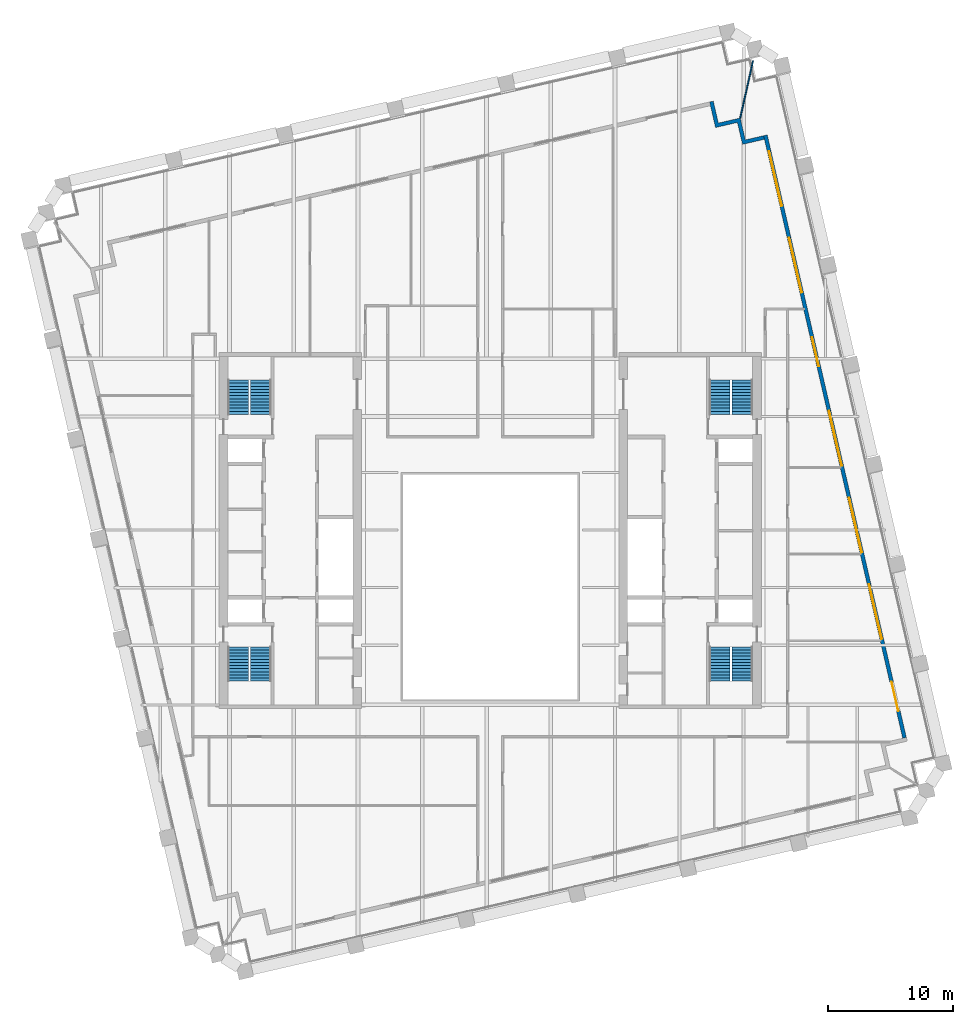
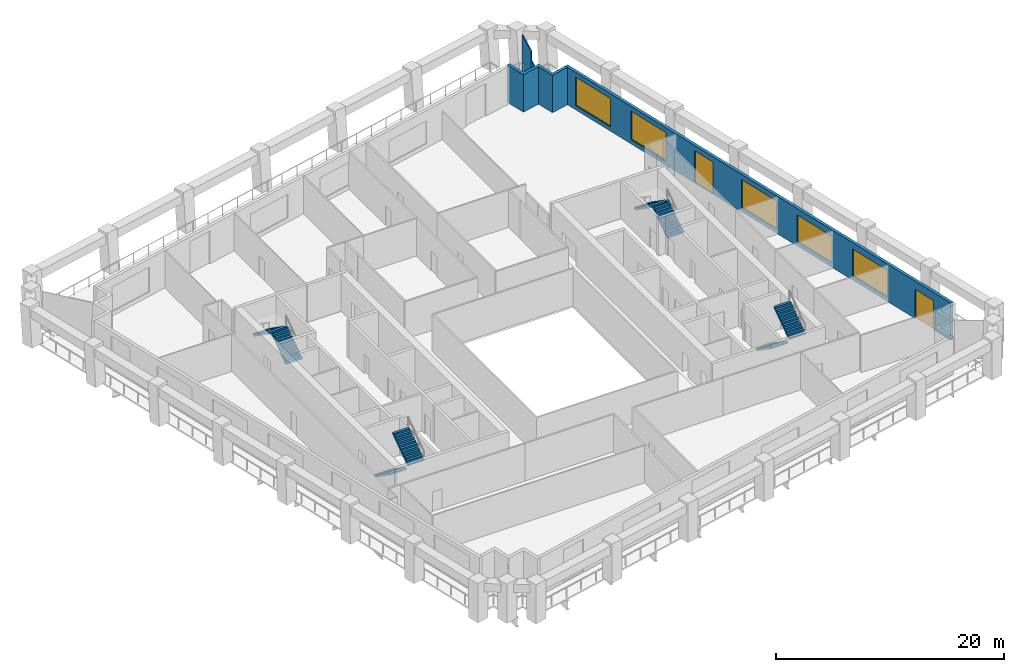
# One storey, part 8 of 10: 8 stair flights, 5 windows, 4 walls, 2 doors, 7 openings, 4 elements without a shape of their own.
"""IFC4 building model written with IfcOpenShell, lengths in metres."""

from ifc_helpers import new_model, si_unit, direction, frame, frame_2d, origin, place, context, subcontext, project, spatial, polyline, rectangle, outline, extrude, material, layer, layer_set, type_object, element, fill, aggregate, save


model = new_model("IFC4")

# Units and contexts
model_context = context("Model", 3, precision=1e-05, world=origin(), true_north=direction((0.0, 1.0)))
body_context = subcontext(model_context, "Body", "Model", "MODEL_VIEW")
ifc_project = project(units=[si_unit("LENGTHUNIT", "METRE"), si_unit("AREAUNIT", "SQUARE_METRE"), si_unit("VOLUMEUNIT", "CUBIC_METRE"), si_unit("PLANEANGLEUNIT", "RADIAN"), si_unit("MASSUNIT", "GRAM", prefix="KILO")], contexts=[model_context])

# Site, building, storey
site_placement = place(None, origin())
site = spatial("IfcSite", under=ifc_project, at=site_placement, CompositionType="ELEMENT")
building_placement = place(site_placement, origin())
building = spatial("IfcBuilding", under=site, at=building_placement, Name="Ogive Exchange Tower", CompositionType="ELEMENT")
storey_placement = place(building_placement, frame((0.0, 0.0, 196.800048828125)))
storey = spatial("IfcBuildingStorey", under=building, at=storey_placement, Name="L43", CompositionType="ELEMENT", Elevation=196.800048828125)

# Wall, openings, doors, windows
ifc_material_1 = material(Name="Precast concrete C40/50", Category="concrete")
ifc_layer_1 = layer(ifc_material_1, 0.300048828125)
ifc_layer_set_1 = layer_set([ifc_layer_1], Name="Limestone-faced wall 300")
wall_type_1 = type_object("IfcWallType", Name="Limestone-faced wall 300", PredefinedType="STANDARD", material=ifc_layer_set_1)
wall_1_placement = place(storey_placement, frame((33.1572265625, -5.092041015625, 0.0), z_axis=(0.0, 0.0, 1.0), x_axis=(-0.224950279389, 0.974370243697, 0.0)))
wall_1 = element("IfcWall", 1, at=wall_1_placement, inside=storey, type_object=wall_type_1, Name="External wall E2", PredefinedType="STANDARD", context=body_context, shape_type="SweptSolid", body=[
    extrude(rectangle(XDim=49.499755859375, YDim=0.300048828125, at=frame_2d((24.75, 0.0))), origin(), (0.0, 0.0, 1.0), 4.0),
])
opening_1_placement = place(wall_1_placement, frame((2.20703125, 0.0, 0.0)))
opening_1 = element("IfcOpeningElement", 2, at=opening_1_placement, cuts=wall_1, Name="Opening D1J", PredefinedType="OPENING", context=body_context, shape_type="SweptSolid", body=[
    extrude(rectangle(XDim=2.39990234375, YDim=3.125, at=frame_2d((1.199951171875, 1.5625))), frame((0.0, 0.159912109375, 0.0), z_axis=(0.0, -1.0, 0.0), x_axis=(1.0, 0.0, 0.0)), (0.0, 0.0, 1.0), 0.320068359375),
])
opening_2_placement = place(wall_1_placement, frame((8.121337890625, 0.0, 0.449951171875)))
opening_2 = element("IfcOpeningElement", 3, at=opening_2_placement, cuts=wall_1, Name="Opening W1D", PredefinedType="OPENING", context=body_context, shape_type="SweptSolid", body=[
    extrude(rectangle(XDim=4.5, YDim=2.875, at=frame_2d((2.25, 1.4375))), frame((0.0, 0.159912109375, 0.0), z_axis=(0.0, -1.0, 0.0), x_axis=(1.0, 0.0, 0.0)), (0.0, 0.0, 1.0), 0.320068359375),
])
opening_3_placement = place(wall_1_placement, frame((15.235595703125, 0.0, 0.449951171875)))
opening_3 = element("IfcOpeningElement", 4, at=opening_3_placement, cuts=wall_1, Name="Opening W1D", PredefinedType="OPENING", context=body_context, shape_type="SweptSolid", body=[
    extrude(rectangle(XDim=4.5, YDim=2.875, at=frame_2d((2.25, 1.4375))), frame((0.0, 0.159912109375, 0.0), z_axis=(0.0, -1.0, 0.0), x_axis=(1.0, 0.0, 0.0)), (0.0, 0.0, 1.0), 0.320068359375),
])
opening_4_placement = place(wall_1_placement, frame((22.35009765625, 0.0, 0.449951171875)))
opening_4 = element("IfcOpeningElement", 5, at=opening_4_placement, cuts=wall_1, Name="Opening W1A", PredefinedType="OPENING", context=body_context, shape_type="SweptSolid", body=[
    extrude(rectangle(XDim=4.5, YDim=3.0, at=frame_2d((2.25, 1.5))), frame((0.0, 0.159912109375, 0.0), z_axis=(0.0, -1.0, 0.0), x_axis=(1.0, 0.0, 0.0)), (0.0, 0.0, 1.0), 0.320068359375),
])
opening_5_placement = place(wall_1_placement, frame((30.51416015625, 0.0, 0.0)))
opening_5 = element("IfcOpeningElement", 6, at=opening_5_placement, cuts=wall_1, Name="Opening D1A", PredefinedType="OPENING", context=body_context, shape_type="SweptSolid", body=[
    extrude(rectangle(XDim=2.39990234375, YDim=3.449951171875, at=frame_2d((1.199951171875, 1.72509765625))), frame((0.0, 0.159912109375, 0.0), z_axis=(0.0, -1.0, 0.0), x_axis=(1.0, 0.0, 0.0)), (0.0, 0.0, 1.0), 0.320068359375),
])
opening_6_placement = place(wall_1_placement, frame((36.57861328125, 0.0, 0.449951171875)))
opening_6 = element("IfcOpeningElement", 7, at=opening_6_placement, cuts=wall_1, Name="Opening W1", PredefinedType="OPENING", context=body_context, shape_type="SweptSolid", body=[
    extrude(rectangle(XDim=4.5, YDim=3.050048828125, at=frame_2d((2.25, 1.52490234375))), frame((0.0, 0.159912109375, 0.0), z_axis=(0.0, -1.0, 0.0), x_axis=(1.0, 0.0, 0.0)), (0.0, 0.0, 1.0), 0.320068359375),
])
opening_7_placement = place(wall_1_placement, frame((43.69287109375, 0.0, 0.449951171875)))
opening_7 = element("IfcOpeningElement", 8, at=opening_7_placement, cuts=wall_1, Name="Opening W1", PredefinedType="OPENING", context=body_context, shape_type="SweptSolid", body=[
    extrude(rectangle(XDim=4.5, YDim=3.050048828125, at=frame_2d((2.25, 1.52490234375))), frame((0.0, 0.159912109375, 0.0), z_axis=(0.0, -1.0, 0.0), x_axis=(1.0, 0.0, 0.0)), (0.0, 0.0, 1.0), 0.320068359375),
])
ifc_material_2 = material(Name="Clear glass in bronze frame", Category="glass")
door_type_1 = type_object("IfcDoorType", Name="Sliding loggia door 2400 x 3125", OperationType="DOUBLE_DOOR_SLIDING", PredefinedType="DOOR", material=ifc_material_2)
door_1_placement = place(opening_1_placement, origin())
door_1 = element("IfcDoor", 9, at=door_1_placement, inside=storey, type_object=door_type_1, Name="Loggia door E00", OperationType="DOUBLE_DOOR_SLIDING", OverallHeight=3.125, OverallWidth=2.39990234375, PredefinedType="DOOR", context=body_context, shape_type="SweptSolid", body=[
    extrude(rectangle(XDim=2.39990234375, YDim=3.125, at=frame_2d((1.199951171875, 1.5625))), frame((0.0, 0.02490234375, 0.0), z_axis=(0.0, -1.0, 0.0), x_axis=(1.0, 0.0, 0.0)), (0.0, 0.0, 1.0), 0.050048828125),
])
fill(opening_1, door_1)
door_type_2 = type_object("IfcDoorType", Name="Sliding loggia door 2400 x 3450", OperationType="DOUBLE_DOOR_SLIDING", PredefinedType="DOOR", material=ifc_material_2)
door_2_placement = place(opening_5_placement, origin())
door_2 = element("IfcDoor", 10, at=door_2_placement, inside=storey, type_object=door_type_2, Name="Loggia door E04", OperationType="DOUBLE_DOOR_SLIDING", OverallHeight=3.449951171875, OverallWidth=2.39990234375, PredefinedType="DOOR", context=body_context, shape_type="SweptSolid", body=[
    extrude(rectangle(XDim=2.39990234375, YDim=3.449951171875, at=frame_2d((1.199951171875, 1.72509765625))), frame((0.0, 0.02490234375, 0.0), z_axis=(0.0, -1.0, 0.0), x_axis=(1.0, 0.0, 0.0)), (0.0, 0.0, 1.0), 0.050048828125),
])
fill(opening_5, door_2)
window_type_1 = type_object("IfcWindowType", Name="Twin lancet window 4500 x 2875", PartitioningType="DOUBLE_PANEL_VERTICAL", PredefinedType="WINDOW", material=ifc_material_2)
window_1_placement = place(opening_2_placement, origin())
window_1 = element("IfcWindow", 11, at=window_1_placement, inside=storey, type_object=window_type_1, Name="Window E01", OverallHeight=2.875, OverallWidth=4.5, PartitioningType="DOUBLE_PANEL_VERTICAL", PredefinedType="WINDOW", context=body_context, shape_type="SweptSolid", body=[
    extrude(rectangle(XDim=4.5, YDim=2.875, at=frame_2d((2.25, 1.4375))), frame((0.0, 0.030029296875, 0.0), z_axis=(0.0, -1.0, 0.0), x_axis=(1.0, 0.0, 0.0)), (0.0, 0.0, 1.0), 0.06005859375),
])
fill(opening_2, window_1)
window_2_placement = place(opening_3_placement, origin())
window_2 = element("IfcWindow", 12, at=window_2_placement, inside=storey, type_object=window_type_1, Name="Window E02", OverallHeight=2.875, OverallWidth=4.5, PartitioningType="DOUBLE_PANEL_VERTICAL", PredefinedType="WINDOW", context=body_context, shape_type="SweptSolid", body=[
    extrude(rectangle(XDim=4.5, YDim=2.875, at=frame_2d((2.25, 1.4375))), frame((0.0, 0.030029296875, 0.0), z_axis=(0.0, -1.0, 0.0), x_axis=(1.0, 0.0, 0.0)), (0.0, 0.0, 1.0), 0.06005859375),
])
fill(opening_3, window_2)
window_type_2 = type_object("IfcWindowType", Name="Twin lancet window 4500 x 3000", PartitioningType="DOUBLE_PANEL_VERTICAL", PredefinedType="WINDOW", material=ifc_material_2)
window_3_placement = place(opening_4_placement, origin())
window_3 = element("IfcWindow", 13, at=window_3_placement, inside=storey, type_object=window_type_2, Name="Window E03", OverallHeight=3.0, OverallWidth=4.5, PartitioningType="DOUBLE_PANEL_VERTICAL", PredefinedType="WINDOW", context=body_context, shape_type="SweptSolid", body=[
    extrude(rectangle(XDim=4.5, YDim=3.0, at=frame_2d((2.25, 1.5))), frame((0.0, 0.030029296875, 0.0), z_axis=(0.0, -1.0, 0.0), x_axis=(1.0, 0.0, 0.0)), (0.0, 0.0, 1.0), 0.06005859375),
])
fill(opening_4, window_3)
window_type_3 = type_object("IfcWindowType", Name="Twin lancet window 4500 x 3050", PartitioningType="DOUBLE_PANEL_VERTICAL", PredefinedType="WINDOW", material=ifc_material_2)
window_4_placement = place(opening_6_placement, origin())
window_4 = element("IfcWindow", 14, at=window_4_placement, inside=storey, type_object=window_type_3, Name="Window E05", OverallHeight=3.050048828125, OverallWidth=4.5, PartitioningType="DOUBLE_PANEL_VERTICAL", PredefinedType="WINDOW", context=body_context, shape_type="SweptSolid", body=[
    extrude(rectangle(XDim=4.5, YDim=3.050048828125, at=frame_2d((2.25, 1.52490234375))), frame((0.0, 0.030029296875, 0.0), z_axis=(0.0, -1.0, 0.0), x_axis=(1.0, 0.0, 0.0)), (0.0, 0.0, 1.0), 0.06005859375),
])
fill(opening_6, window_4)
window_5_placement = place(opening_7_placement, origin())
window_5 = element("IfcWindow", 15, at=window_5_placement, inside=storey, type_object=window_type_3, Name="Window E06", OverallHeight=3.050048828125, OverallWidth=4.5, PartitioningType="DOUBLE_PANEL_VERTICAL", PredefinedType="WINDOW", context=body_context, shape_type="SweptSolid", body=[
    extrude(rectangle(XDim=4.5, YDim=3.050048828125, at=frame_2d((2.25, 1.52490234375))), frame((0.0, 0.030029296875, 0.0), z_axis=(0.0, -1.0, 0.0), x_axis=(1.0, 0.0, 0.0)), (0.0, 0.0, 1.0), 0.06005859375),
])
fill(opening_7, window_5)

# Walls
wall_2_placement = place(storey_placement, origin())
element("IfcWall", 16, at=wall_2_placement, inside=storey, type_object=wall_type_1, Name="External corner wall C2", PredefinedType="STANDARD", context=body_context, shape_type="SweptSolid", body=[
    extrude(outline(polyline([(19.78466796875, 44.162109375), (18.03076171875, 43.757080078125), (17.558349609375, 45.80322265625), (17.8505859375, 45.870849609375), (18.255615234375, 44.116943359375), (20.009521484375, 44.52197265625), (20.414306640625, 42.76806640625), (21.8759765625, 43.10546875), (21.943359375, 42.81298828125), (20.189697265625, 42.408203125), (19.78466796875, 44.162109375)])), origin(), (0.0, 0.0, 1.0), 4.0),
])
ifc_material_3 = material(Name="Laminated safety glass in steel frame", Category="steel")
ifc_layer_2 = layer(ifc_material_3, 0.10009765625)
ifc_layer_set_2 = layer_set([ifc_layer_2], Name="Loggia end screen 100")
wall_type_2 = type_object("IfcWallType", Name="Loggia end screen 100", PredefinedType="STANDARD", material=ifc_layer_set_2)
wall_3_placement = place(storey_placement, frame((20.009521484375, 44.52197265625, -0.050048828125), z_axis=(0.0, 0.0, 1.0), x_axis=(0.217129502509, 0.976142806735, 0.0)))
element("IfcWall", 17, at=wall_3_placement, inside=storey, type_object=wall_type_2, Name="Loggia end screen C2", PredefinedType="STANDARD", context=body_context, shape_type="SweptSolid", body=[
    extrude(rectangle(XDim=2.077880859375, YDim=0.10009765625, at=frame_2d((1.0390625, 0.0))), origin(), (0.0, 0.0, 1.0), 3.070068359375),
])
wall_4_placement = place(storey_placement, frame((20.460693359375, 46.55029296875, -0.050048828125), z_axis=(0.0, 0.0, 1.0), x_axis=(0.217256107867, 0.976114636503, 0.0)))
element("IfcWall", 18, at=wall_4_placement, inside=storey, type_object=wall_type_2, Name="Loggia end screen C2", PredefinedType="STANDARD", context=body_context, shape_type="SweptSolid", body=[
    extrude(rectangle(XDim=2.619384765625, YDim=0.10009765625, at=frame_2d((1.3095703125, 0.0))), origin(), (0.0, 0.0, 1.0), 4.050048828125),
])

# Stair, stair flights
ifc_material_4 = material(Name="Concrete C40/50", Category="concrete")
stair_type = type_object("IfcStairType", Name="Exit stair 1650 wide", PredefinedType="HALF_TURN_STAIR", material=ifc_material_4)
stair_1_placement = place(storey_placement, origin())
stair_1 = element("IfcStair", 19, at=stair_1_placement, inside=storey, type_object=stair_type, Name="L43 exit stair ST1", PredefinedType="HALF_TURN_STAIR")
stair_flight_type = type_object("IfcStairFlightType", Name="Stair flight 1650 wide", PredefinedType="STRAIGHT", material=ifc_material_4)
stair_flight_1_placement = place(storey_placement, frame((-20.175048828125, 2.199951171875, 0.0), z_axis=(0.0, 0.0, 1.0), x_axis=(0.0, -1.0, 0.0)))
stair_flight_1 = element("IfcStairFlight", 20, at=stair_flight_1_placement, type_object=stair_flight_type, Name="ST1 flight 1", NumberOfRisers=12, NumberOfTreads=11, PredefinedType="STRAIGHT", RiserHeight=0.175, TreadLength=0.25, context=body_context, shape_type="SweptSolid", body=[
    extrude(outline(polyline([(0.0, 0.0), (0.0, 0.175048828125), (0.25, 0.175048828125), (0.25, 0.35009765625), (0.5, 0.35009765625), (0.5, 0.52490234375), (0.75, 0.52490234375), (0.75, 0.699951171875), (1.0, 0.699951171875), (1.0, 0.875), (1.25, 0.875), (1.25, 1.050048828125), (1.5, 1.050048828125), (1.5, 1.22509765625), (1.75, 1.22509765625), (1.75, 1.39990234375), (2.0, 1.39990234375), (2.0, 1.574951171875), (2.25, 1.574951171875), (2.25, 1.75), (2.5, 1.75), (2.5, 1.925048828125), (2.75, 1.925048828125), (2.75, 2.10009765625), (2.75, 1.741943359375), (0.261474609375, 0.0), (0.0, 0.0)])), frame((0.0, 0.824951171875, 0.0), z_axis=(0.0, -1.0, 0.0), x_axis=(1.0, 0.0, 0.0)), (0.0, 0.0, 1.0), 1.64990234375),
])
stair_flight_2_placement = place(storey_placement, frame((-18.375, -0.550048828125, 2.099853515625), z_axis=(0.0, 0.0, 1.0), x_axis=(0.0, 1.0, 0.0)))
stair_flight_2 = element("IfcStairFlight", 21, at=stair_flight_2_placement, type_object=stair_flight_type, Name="ST1 flight 2", NumberOfRisers=12, NumberOfTreads=11, PredefinedType="STRAIGHT", RiserHeight=0.175, TreadLength=0.25, context=body_context, shape_type="SweptSolid", body=[
    extrude(outline(polyline([(0.0, 0.0), (0.0, 0.175048828125), (0.25, 0.175048828125), (0.25, 0.35009765625), (0.5, 0.35009765625), (0.5, 0.52490234375), (0.75, 0.52490234375), (0.75, 0.699951171875), (1.0, 0.699951171875), (1.0, 0.875), (1.25, 0.875), (1.25, 1.050048828125), (1.5, 1.050048828125), (1.5, 1.22509765625), (1.75, 1.22509765625), (1.75, 1.39990234375), (2.0, 1.39990234375), (2.0, 1.574951171875), (2.25, 1.574951171875), (2.25, 1.75), (2.5, 1.75), (2.5, 1.925048828125), (2.75, 1.925048828125), (2.75, 2.10009765625), (2.75, 1.741943359375), (0.261474609375, 0.0), (0.0, 0.0)])), frame((0.0, 0.824951171875, 0.0), z_axis=(0.0, -1.0, 0.0), x_axis=(1.0, 0.0, 0.0)), (0.0, 0.0, 1.0), 1.64990234375),
])
aggregate(stair_1, [stair_flight_1, stair_flight_2])

stair_2_placement = place(storey_placement, origin())
stair_2 = element("IfcStair", 22, at=stair_2_placement, inside=storey, type_object=stair_type, Name="L43 exit stair ST2", PredefinedType="HALF_TURN_STAIR")
stair_flight_3_placement = place(storey_placement, frame((-18.375, 20.800048828125, 0.0), z_axis=(0.0, 0.0, 1.0), x_axis=(0.0, 1.0, 0.0)))
stair_flight_3 = element("IfcStairFlight", 23, at=stair_flight_3_placement, type_object=stair_flight_type, Name="ST2 flight 1", NumberOfRisers=12, NumberOfTreads=11, PredefinedType="STRAIGHT", RiserHeight=0.175, TreadLength=0.25, context=body_context, shape_type="SweptSolid", body=[
    extrude(outline(polyline([(0.0, 0.0), (0.0, 0.175048828125), (0.25, 0.175048828125), (0.25, 0.35009765625), (0.5, 0.35009765625), (0.5, 0.52490234375), (0.75, 0.52490234375), (0.75, 0.699951171875), (1.0, 0.699951171875), (1.0, 0.875), (1.25, 0.875), (1.25, 1.050048828125), (1.5, 1.050048828125), (1.5, 1.22509765625), (1.75, 1.22509765625), (1.75, 1.39990234375), (2.0, 1.39990234375), (2.0, 1.574951171875), (2.25, 1.574951171875), (2.25, 1.75), (2.5, 1.75), (2.5, 1.925048828125), (2.75, 1.925048828125), (2.75, 2.10009765625), (2.75, 1.741943359375), (0.261474609375, 0.0), (0.0, 0.0)])), frame((0.0, 0.824951171875, 0.0), z_axis=(0.0, -1.0, 0.0), x_axis=(1.0, 0.0, 0.0)), (0.0, 0.0, 1.0), 1.64990234375),
])
stair_flight_4_placement = place(storey_placement, frame((-20.175048828125, 23.550048828125, 2.099853515625), z_axis=(0.0, 0.0, 1.0), x_axis=(0.0, -1.0, 0.0)))
stair_flight_4 = element("IfcStairFlight", 24, at=stair_flight_4_placement, type_object=stair_flight_type, Name="ST2 flight 2", NumberOfRisers=12, NumberOfTreads=11, PredefinedType="STRAIGHT", RiserHeight=0.175, TreadLength=0.25, context=body_context, shape_type="SweptSolid", body=[
    extrude(outline(polyline([(0.0, 0.0), (0.0, 0.175048828125), (0.25, 0.175048828125), (0.25, 0.35009765625), (0.5, 0.35009765625), (0.5, 0.52490234375), (0.75, 0.52490234375), (0.75, 0.699951171875), (1.0, 0.699951171875), (1.0, 0.875), (1.25, 0.875), (1.25, 1.050048828125), (1.5, 1.050048828125), (1.5, 1.22509765625), (1.75, 1.22509765625), (1.75, 1.39990234375), (2.0, 1.39990234375), (2.0, 1.574951171875), (2.25, 1.574951171875), (2.25, 1.75), (2.5, 1.75), (2.5, 1.925048828125), (2.75, 1.925048828125), (2.75, 2.10009765625), (2.75, 1.741943359375), (0.261474609375, 0.0), (0.0, 0.0)])), frame((0.0, 0.824951171875, 0.0), z_axis=(0.0, -1.0, 0.0), x_axis=(1.0, 0.0, 0.0)), (0.0, 0.0, 1.0), 1.64990234375),
])
aggregate(stair_2, [stair_flight_3, stair_flight_4])

stair_3_placement = place(storey_placement, origin())
stair_3 = element("IfcStair", 25, at=stair_3_placement, inside=storey, type_object=stair_type, Name="L43 exit stair ST3", PredefinedType="HALF_TURN_STAIR")
stair_flight_5_placement = place(storey_placement, frame((18.375, 2.199951171875, 0.0), z_axis=(0.0, 0.0, 1.0), x_axis=(0.0, -1.0, 0.0)))
stair_flight_5 = element("IfcStairFlight", 26, at=stair_flight_5_placement, type_object=stair_flight_type, Name="ST3 flight 1", NumberOfRisers=12, NumberOfTreads=11, PredefinedType="STRAIGHT", RiserHeight=0.175, TreadLength=0.25, context=body_context, shape_type="SweptSolid", body=[
    extrude(outline(polyline([(0.0, 0.0), (0.0, 0.175048828125), (0.25, 0.175048828125), (0.25, 0.35009765625), (0.5, 0.35009765625), (0.5, 0.52490234375), (0.75, 0.52490234375), (0.75, 0.699951171875), (1.0, 0.699951171875), (1.0, 0.875), (1.25, 0.875), (1.25, 1.050048828125), (1.5, 1.050048828125), (1.5, 1.22509765625), (1.75, 1.22509765625), (1.75, 1.39990234375), (2.0, 1.39990234375), (2.0, 1.574951171875), (2.25, 1.574951171875), (2.25, 1.75), (2.5, 1.75), (2.5, 1.925048828125), (2.75, 1.925048828125), (2.75, 2.10009765625), (2.75, 1.741943359375), (0.261474609375, 0.0), (0.0, 0.0)])), frame((0.0, 0.824951171875, 0.0), z_axis=(0.0, -1.0, 0.0), x_axis=(1.0, 0.0, 0.0)), (0.0, 0.0, 1.0), 1.64990234375),
])
stair_flight_6_placement = place(storey_placement, frame((20.175048828125, -0.550048828125, 2.099853515625), z_axis=(0.0, 0.0, 1.0), x_axis=(0.0, 1.0, 0.0)))
stair_flight_6 = element("IfcStairFlight", 27, at=stair_flight_6_placement, type_object=stair_flight_type, Name="ST3 flight 2", NumberOfRisers=12, NumberOfTreads=11, PredefinedType="STRAIGHT", RiserHeight=0.175, TreadLength=0.25, context=body_context, shape_type="SweptSolid", body=[
    extrude(outline(polyline([(0.0, 0.0), (0.0, 0.175048828125), (0.25, 0.175048828125), (0.25, 0.35009765625), (0.5, 0.35009765625), (0.5, 0.52490234375), (0.75, 0.52490234375), (0.75, 0.699951171875), (1.0, 0.699951171875), (1.0, 0.875), (1.25, 0.875), (1.25, 1.050048828125), (1.5, 1.050048828125), (1.5, 1.22509765625), (1.75, 1.22509765625), (1.75, 1.39990234375), (2.0, 1.39990234375), (2.0, 1.574951171875), (2.25, 1.574951171875), (2.25, 1.75), (2.5, 1.75), (2.5, 1.925048828125), (2.75, 1.925048828125), (2.75, 2.10009765625), (2.75, 1.741943359375), (0.261474609375, 0.0), (0.0, 0.0)])), frame((0.0, 0.824951171875, 0.0), z_axis=(0.0, -1.0, 0.0), x_axis=(1.0, 0.0, 0.0)), (0.0, 0.0, 1.0), 1.64990234375),
])
aggregate(stair_3, [stair_flight_5, stair_flight_6])

stair_4_placement = place(storey_placement, origin())
stair_4 = element("IfcStair", 28, at=stair_4_placement, inside=storey, type_object=stair_type, Name="L43 exit stair ST4", PredefinedType="HALF_TURN_STAIR")
stair_flight_7_placement = place(storey_placement, frame((20.175048828125, 20.800048828125, 0.0), z_axis=(0.0, 0.0, 1.0), x_axis=(0.0, 1.0, 0.0)))
stair_flight_7 = element("IfcStairFlight", 29, at=stair_flight_7_placement, type_object=stair_flight_type, Name="ST4 flight 1", NumberOfRisers=12, NumberOfTreads=11, PredefinedType="STRAIGHT", RiserHeight=0.175, TreadLength=0.25, context=body_context, shape_type="SweptSolid", body=[
    extrude(outline(polyline([(0.0, 0.0), (0.0, 0.175048828125), (0.25, 0.175048828125), (0.25, 0.35009765625), (0.5, 0.35009765625), (0.5, 0.52490234375), (0.75, 0.52490234375), (0.75, 0.699951171875), (1.0, 0.699951171875), (1.0, 0.875), (1.25, 0.875), (1.25, 1.050048828125), (1.5, 1.050048828125), (1.5, 1.22509765625), (1.75, 1.22509765625), (1.75, 1.39990234375), (2.0, 1.39990234375), (2.0, 1.574951171875), (2.25, 1.574951171875), (2.25, 1.75), (2.5, 1.75), (2.5, 1.925048828125), (2.75, 1.925048828125), (2.75, 2.10009765625), (2.75, 1.741943359375), (0.261474609375, 0.0), (0.0, 0.0)])), frame((0.0, 0.824951171875, 0.0), z_axis=(0.0, -1.0, 0.0), x_axis=(1.0, 0.0, 0.0)), (0.0, 0.0, 1.0), 1.64990234375),
])
stair_flight_8_placement = place(storey_placement, frame((18.375, 23.550048828125, 2.099853515625), z_axis=(0.0, 0.0, 1.0), x_axis=(0.0, -1.0, 0.0)))
stair_flight_8 = element("IfcStairFlight", 30, at=stair_flight_8_placement, type_object=stair_flight_type, Name="ST4 flight 2", NumberOfRisers=12, NumberOfTreads=11, PredefinedType="STRAIGHT", RiserHeight=0.175, TreadLength=0.25, context=body_context, shape_type="SweptSolid", body=[
    extrude(outline(polyline([(0.0, 0.0), (0.0, 0.175048828125), (0.25, 0.175048828125), (0.25, 0.35009765625), (0.5, 0.35009765625), (0.5, 0.52490234375), (0.75, 0.52490234375), (0.75, 0.699951171875), (1.0, 0.699951171875), (1.0, 0.875), (1.25, 0.875), (1.25, 1.050048828125), (1.5, 1.050048828125), (1.5, 1.22509765625), (1.75, 1.22509765625), (1.75, 1.39990234375), (2.0, 1.39990234375), (2.0, 1.574951171875), (2.25, 1.574951171875), (2.25, 1.75), (2.5, 1.75), (2.5, 1.925048828125), (2.75, 1.925048828125), (2.75, 2.10009765625), (2.75, 1.741943359375), (0.261474609375, 0.0), (0.0, 0.0)])), frame((0.0, 0.824951171875, 0.0), z_axis=(0.0, -1.0, 0.0), x_axis=(1.0, 0.0, 0.0)), (0.0, 0.0, 1.0), 1.64990234375),
])
aggregate(stair_4, [stair_flight_7, stair_flight_8])

save(model, "model.ifc")
